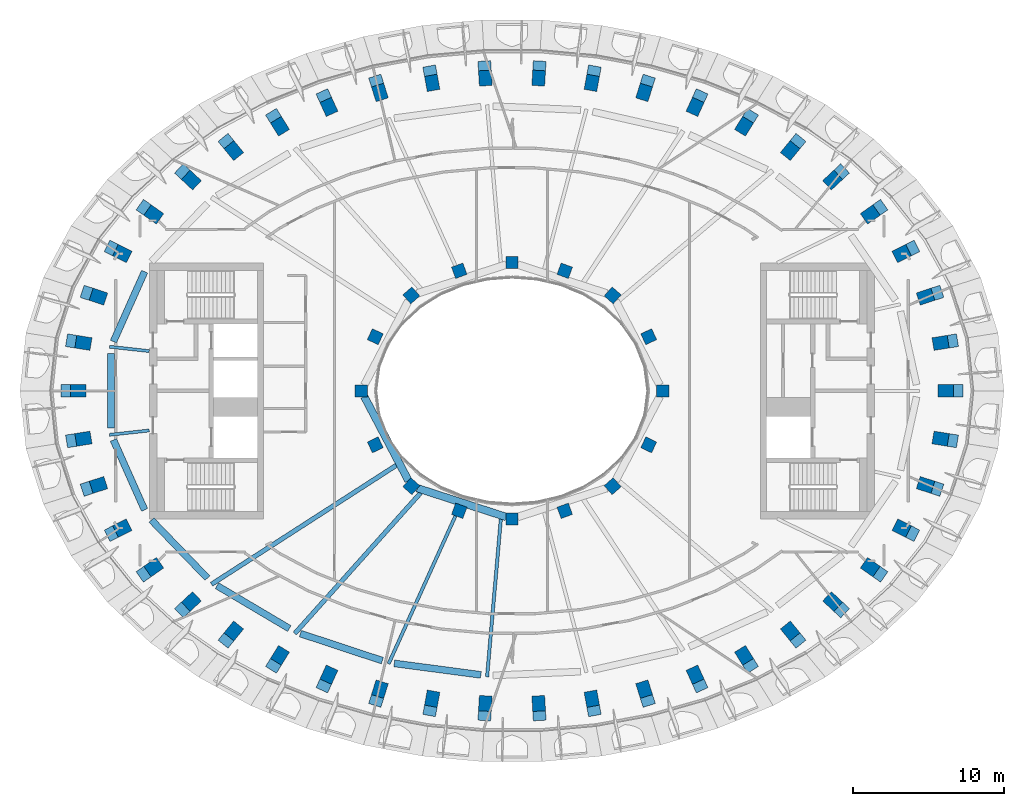
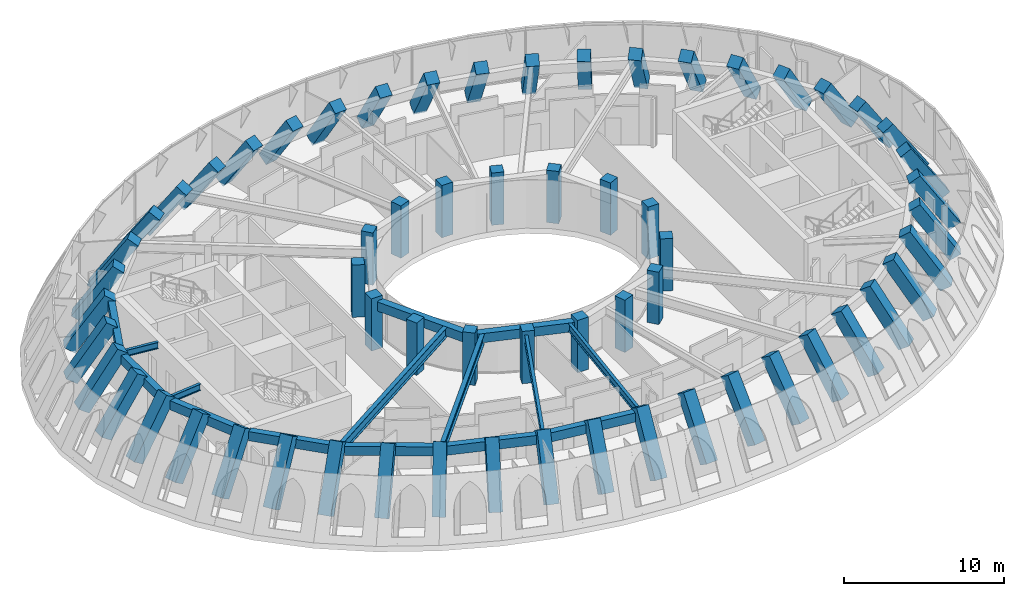
# One storey, part 1 of 13: 62 columns, 15 beams.
"""IFC4 building model written with IfcOpenShell, lengths in metres."""

from ifc_helpers import new_model, si_unit, direction, frame, origin, origin_2d, place, context, subcontext, project, spatial, rectangle, i_section, extrude, material, material_profile, profile_set, type_object, element, save


model = new_model("IFC4")

# Units and contexts
model_context = context("Model", 3, precision=1e-05, world=origin(), true_north=direction((0.0, 1.0)))
body_context = subcontext(model_context, "Body", "Model", "MODEL_VIEW")
ifc_project = project(units=[si_unit("LENGTHUNIT", "METRE"), si_unit("AREAUNIT", "SQUARE_METRE"), si_unit("VOLUMEUNIT", "CUBIC_METRE"), si_unit("PLANEANGLEUNIT", "RADIAN"), si_unit("MASSUNIT", "GRAM", prefix="KILO")], contexts=[model_context])

# Site, building, storey
site_placement = place(None, origin())
site = spatial("IfcSite", under=ifc_project, at=site_placement, CompositionType="ELEMENT")
building_placement = place(site_placement, origin())
building = spatial("IfcBuilding", under=site, at=building_placement, Name="Noorbagh Ring Tower", CompositionType="ELEMENT")
storey_placement = place(building_placement, frame((0.0, 0.0, 347.0)))
storey = spatial("IfcBuildingStorey", under=building, at=storey_placement, Name="L76", CompositionType="ELEMENT", Elevation=347.0)

# Columns
ifc_material_1 = material(Name="Concrete C50/60", Category="concrete")
ifc_material_profile_1 = material_profile(ifc_material_1, rectangle(XDim=0.85009765625, YDim=0.85009765625, at=origin_2d()), Name="RC850x850")
ifc_profile_set_1 = profile_set([ifc_material_profile_1], Name="Concrete C50/60")
column_type_1 = type_object("IfcColumnType", Name="STR-COL-RC850x850-C50-60", PredefinedType="COLUMN", material=ifc_profile_set_1)
column_1_placement = place(storey_placement, frame((29.571533203125, 0.0, 0.020751953125), z_axis=(-0.551078466919, 0.0, 0.834453427878), x_axis=(0.0, -1.0, 0.0)))
element("IfcColumn", 1, at=column_1_placement, inside=storey, type_object=column_type_1, Name="L76/col/R1-01", PredefinedType="COLUMN", context=body_context, shape_type="SweptSolid", body=[
    extrude(rectangle(XDim=0.85009765625, YDim=0.85009765625, at=origin_2d()), origin(), (0.0, 0.0, 1.0), 4.73583984375),
])
column_2_placement = place(storey_placement, frame((29.22119140625, 3.303955078125, 0.020751953125), z_axis=(-0.544037398936, -0.087235716357, 0.834513773614), x_axis=(0.158326246878, -0.987386854049, 0.0)))
element("IfcColumn", 2, at=column_2_placement, inside=storey, type_object=column_type_1, Name="L76/col/R1-02", PredefinedType="COLUMN", context=body_context, shape_type="SweptSolid", body=[
    extrude(rectangle(XDim=0.85009765625, YDim=0.85009765625, at=origin_2d()), origin(), (0.0, 0.0, 1.0), 4.7353515625),
])
column_3_placement = place(storey_placement, frame((28.196044921875, 6.4912109375, 0.020751953125), z_axis=(-0.523716020233, -0.170699160403, 0.834615676098), x_axis=(0.309892926909, -0.950771462472, 0.0)))
element("IfcColumn", 3, at=column_3_placement, inside=storey, type_object=column_type_1, Name="L76/col/R1-03", PredefinedType="COLUMN", context=body_context, shape_type="SweptSolid", body=[
    extrude(rectangle(XDim=0.85009765625, YDim=0.85009765625, at=origin_2d()), origin(), (0.0, 0.0, 1.0), 4.70703125),
])
column_4_placement = place(storey_placement, frame((26.564208984375, 9.46435546875, 0.020751953125), z_axis=(-0.491879634407, -0.247568905736, 0.834723943689), x_axis=(0.449578736033, -0.893240706701, 0.0)))
element("IfcColumn", 4, at=column_4_placement, inside=storey, type_object=column_type_1, Name="L76/col/R1-04", PredefinedType="COLUMN", context=body_context, shape_type="SweptSolid", body=[
    extrude(rectangle(XDim=0.85009765625, YDim=0.85009765625, at=origin_2d()), origin(), (0.0, 0.0, 1.0), 4.645751953125),
])
column_5_placement = place(storey_placement, frame((24.41796875, 12.154296875, 0.020751953125), z_axis=(-0.450739713419, -0.316171343674, 0.834787034031), x_axis=(0.574258734761, -0.81867387008, 0.0)))
element("IfcColumn", 5, at=column_5_placement, inside=storey, type_object=column_type_1, Name="L76/col/R1-05", PredefinedType="COLUMN", context=body_context, shape_type="SweptSolid", body=[
    extrude(rectangle(XDim=0.85009765625, YDim=0.85009765625, at=origin_2d()), origin(), (0.0, 0.0, 1.0), 4.744384765625),
])
column_6_placement = place(storey_placement, frame((21.853515625, 14.52099609375, 0.020751953125), z_axis=(-0.402285560679, -0.375879123876, 0.834794113481), x_axis=(0.682718667605, -0.730681340192, 0.0)))
element("IfcColumn", 6, at=column_6_placement, inside=storey, type_object=column_type_1, Name="L76/col/R1-06", PredefinedType="COLUMN", context=body_context, shape_type="SweptSolid", body=[
    extrude(rectangle(XDim=0.85009765625, YDim=0.85009765625, at=origin_2d()), origin(), (0.0, 0.0, 1.0), 4.733642578125),
])
column_7_placement = place(storey_placement, frame((18.9599609375, 16.54541015625, 0.020751953125), z_axis=(-0.348267486207, -0.426502607868, 0.834748634939), x_axis=(0.774570364405, -0.632487747379, 0.0)))
element("IfcColumn", 7, at=column_7_placement, inside=storey, type_object=column_type_1, Name="L76/col/R1-07", PredefinedType="COLUMN", context=body_context, shape_type="SweptSolid", body=[
    extrude(rectangle(XDim=0.85009765625, YDim=0.85009765625, at=origin_2d()), origin(), (0.0, 0.0, 1.0), 4.73388671875),
])
column_8_placement = place(storey_placement, frame((15.8134765625, 18.22314453125, 0.020751953125), z_axis=(-0.28996437072, -0.468233413861, 0.834672471007), x_axis=(0.850179331562, -0.526493213807, 0.0)))
element("IfcColumn", 8, at=column_8_placement, inside=storey, type_object=column_type_1, Name="L76/col/R1-08", PredefinedType="COLUMN", context=body_context, shape_type="SweptSolid", body=[
    extrude(rectangle(XDim=0.85009765625, YDim=0.85009765625, at=origin_2d()), origin(), (0.0, 0.0, 1.0), 4.734375),
])
column_9_placement = place(storey_placement, frame((12.47705078125, 19.5556640625, 0.020751953125), z_axis=(-0.228477444955, -0.501144727492, 0.834656827237), x_axis=(0.909897792404, -0.41483250521, 0.0)))
element("IfcColumn", 9, at=column_9_placement, inside=storey, type_object=column_type_1, Name="L76/col/R1-09", PredefinedType="COLUMN", context=body_context, shape_type="SweptSolid", body=[
    extrude(rectangle(XDim=0.85009765625, YDim=0.85009765625, at=origin_2d()), origin(), (0.0, 0.0, 1.0), 4.73486328125),
])
column_10_placement = place(storey_placement, frame((9.003662109375, 20.548583984375, 0.020751953125), z_axis=(-0.164733398932, -0.525651643853, 0.834597661506), x_axis=(0.954238174044, -0.299047667099, 0.0)))
element("IfcColumn", 10, at=column_10_placement, inside=storey, type_object=column_type_1, Name="L76/col/R1-10", PredefinedType="COLUMN", context=body_context, shape_type="SweptSolid", body=[
    extrude(rectangle(XDim=0.85009765625, YDim=0.85009765625, at=origin_2d()), origin(), (0.0, 0.0, 1.0), 4.735107421875),
])
for number, where, z_axis, x_axis, name in (
    (11, (5.437744140625, 21.207275390625, 0.020751953125), (-0.09945133912, -0.541904108599, 0.834535420597), (0.983573622278, -0.18050742245, 0.0), "L76/col/R1-11"),
    (12, (1.818359375, 21.53515625, 0.020751953125), (-0.033253613336, -0.549947741791, 0.83453680476), (0.998176877208, -0.060356621899, 0.0), "L76/col/R1-12"),
    (13, (-1.818359375, 21.53515625, 0.020751953125), (0.033253613336, -0.549947741791, 0.83453680476), (0.998176877208, 0.060356621899, 0.0), "L76/col/R1-13"),
    (14, (-5.437744140625, 21.207275390625, 0.020751953125), (0.09945133912, -0.541904108599, 0.834535420597), (0.983573622278, 0.18050742245, 0.0), "L76/col/R1-14"),
):
    element("IfcColumn", number, at=place(storey_placement, frame(where, z_axis=z_axis, x_axis=x_axis)), inside=storey, type_object=column_type_1, Name=name, PredefinedType="COLUMN", context=body_context, shape_type="SweptSolid", body=[
        extrude(rectangle(XDim=0.85009765625, YDim=0.85009765625, at=origin_2d()), origin(), (0.0, 0.0, 1.0), 4.7353515625),
    ])
column_11_placement = place(storey_placement, frame((-9.003662109375, 20.548583984375, 0.020751953125), z_axis=(0.164733398932, -0.525651643853, 0.834597661506), x_axis=(0.954238174044, 0.299047667099, 0.0)))
element("IfcColumn", 15, at=column_11_placement, inside=storey, type_object=column_type_1, Name="L76/col/R1-15", PredefinedType="COLUMN", context=body_context, shape_type="SweptSolid", body=[
    extrude(rectangle(XDim=0.85009765625, YDim=0.85009765625, at=origin_2d()), origin(), (0.0, 0.0, 1.0), 4.735107421875),
])
column_12_placement = place(storey_placement, frame((-12.47705078125, 19.5556640625, 0.020751953125), z_axis=(0.228477444955, -0.501144727492, 0.834656827237), x_axis=(0.909897792404, 0.41483250521, 0.0)))
element("IfcColumn", 16, at=column_12_placement, inside=storey, type_object=column_type_1, Name="L76/col/R1-16", PredefinedType="COLUMN", context=body_context, shape_type="SweptSolid", body=[
    extrude(rectangle(XDim=0.85009765625, YDim=0.85009765625, at=origin_2d()), origin(), (0.0, 0.0, 1.0), 4.73486328125),
])
column_13_placement = place(storey_placement, frame((-15.8134765625, 18.22314453125, 0.020751953125), z_axis=(0.28996437072, -0.468233413861, 0.834672471007), x_axis=(0.850179331562, 0.526493213807, 0.0)))
element("IfcColumn", 17, at=column_13_placement, inside=storey, type_object=column_type_1, Name="L76/col/R1-17", PredefinedType="COLUMN", context=body_context, shape_type="SweptSolid", body=[
    extrude(rectangle(XDim=0.85009765625, YDim=0.85009765625, at=origin_2d()), origin(), (0.0, 0.0, 1.0), 4.734375),
])
column_14_placement = place(storey_placement, frame((-18.9599609375, 16.54541015625, 0.020751953125), z_axis=(0.348267486207, -0.426502607868, 0.834748634939), x_axis=(0.774570364405, 0.632487747379, 0.0)))
element("IfcColumn", 18, at=column_14_placement, inside=storey, type_object=column_type_1, Name="L76/col/R1-18", PredefinedType="COLUMN", context=body_context, shape_type="SweptSolid", body=[
    extrude(rectangle(XDim=0.85009765625, YDim=0.85009765625, at=origin_2d()), origin(), (0.0, 0.0, 1.0), 4.73388671875),
])
column_15_placement = place(storey_placement, frame((-21.853515625, 14.52099609375, 0.020751953125), z_axis=(0.402285560679, -0.375879123876, 0.834794113481), x_axis=(0.682718667605, 0.730681340192, 0.0)))
element("IfcColumn", 19, at=column_15_placement, inside=storey, type_object=column_type_1, Name="L76/col/R1-19", PredefinedType="COLUMN", context=body_context, shape_type="SweptSolid", body=[
    extrude(rectangle(XDim=0.85009765625, YDim=0.85009765625, at=origin_2d()), origin(), (0.0, 0.0, 1.0), 4.733642578125),
])
column_16_placement = place(storey_placement, frame((-24.41796875, 12.154296875, 0.020751953125), z_axis=(0.450739713419, -0.316171343674, 0.834787034031), x_axis=(0.574258734761, 0.81867387008, 0.0)))
element("IfcColumn", 20, at=column_16_placement, inside=storey, type_object=column_type_1, Name="L76/col/R1-20", PredefinedType="COLUMN", context=body_context, shape_type="SweptSolid", body=[
    extrude(rectangle(XDim=0.85009765625, YDim=0.85009765625, at=origin_2d()), origin(), (0.0, 0.0, 1.0), 4.744384765625),
])
column_17_placement = place(storey_placement, frame((-26.564208984375, 9.46435546875, 0.020751953125), z_axis=(0.491879634407, -0.247568905736, 0.834723943689), x_axis=(0.449578736033, 0.893240706701, 0.0)))
element("IfcColumn", 21, at=column_17_placement, inside=storey, type_object=column_type_1, Name="L76/col/R1-21", PredefinedType="COLUMN", context=body_context, shape_type="SweptSolid", body=[
    extrude(rectangle(XDim=0.85009765625, YDim=0.85009765625, at=origin_2d()), origin(), (0.0, 0.0, 1.0), 4.645751953125),
])
column_18_placement = place(storey_placement, frame((-28.196044921875, 6.4912109375, 0.020751953125), z_axis=(0.523716020233, -0.170699160403, 0.834615676098), x_axis=(0.309892926909, 0.950771462472, 0.0)))
element("IfcColumn", 22, at=column_18_placement, inside=storey, type_object=column_type_1, Name="L76/col/R1-22", PredefinedType="COLUMN", context=body_context, shape_type="SweptSolid", body=[
    extrude(rectangle(XDim=0.85009765625, YDim=0.85009765625, at=origin_2d()), origin(), (0.0, 0.0, 1.0), 4.70703125),
])
column_19_placement = place(storey_placement, frame((-29.22119140625, 3.303955078125, 0.020751953125), z_axis=(0.544037398936, -0.087235716357, 0.834513773614), x_axis=(0.158326246878, 0.987386854049, 0.0)))
element("IfcColumn", 23, at=column_19_placement, inside=storey, type_object=column_type_1, Name="L76/col/R1-23", PredefinedType="COLUMN", context=body_context, shape_type="SweptSolid", body=[
    extrude(rectangle(XDim=0.85009765625, YDim=0.85009765625, at=origin_2d()), origin(), (0.0, 0.0, 1.0), 4.7353515625),
])
column_20_placement = place(storey_placement, frame((-29.571533203125, 0.0, 0.020751953125), z_axis=(0.551078466919, 0.0, 0.834453427878), x_axis=(0.0, 1.0, 0.0)))
element("IfcColumn", 24, at=column_20_placement, inside=storey, type_object=column_type_1, Name="L76/col/R1-24", PredefinedType="COLUMN", context=body_context, shape_type="SweptSolid", body=[
    extrude(rectangle(XDim=0.85009765625, YDim=0.85009765625, at=origin_2d()), origin(), (0.0, 0.0, 1.0), 4.73583984375),
])
column_21_placement = place(storey_placement, frame((-29.22119140625, -3.303955078125, 0.020751953125), z_axis=(0.544037398936, 0.087235716357, 0.834513773614), x_axis=(-0.158326246878, 0.987386854049, 0.0)))
element("IfcColumn", 25, at=column_21_placement, inside=storey, type_object=column_type_1, Name="L76/col/R1-25", PredefinedType="COLUMN", context=body_context, shape_type="SweptSolid", body=[
    extrude(rectangle(XDim=0.85009765625, YDim=0.85009765625, at=origin_2d()), origin(), (0.0, 0.0, 1.0), 4.7353515625),
])
column_22_placement = place(storey_placement, frame((-28.196044921875, -6.4912109375, 0.020751953125), z_axis=(0.523716020233, 0.170699160403, 0.834615676098), x_axis=(-0.309892926909, 0.950771462472, 0.0)))
element("IfcColumn", 26, at=column_22_placement, inside=storey, type_object=column_type_1, Name="L76/col/R1-26", PredefinedType="COLUMN", context=body_context, shape_type="SweptSolid", body=[
    extrude(rectangle(XDim=0.85009765625, YDim=0.85009765625, at=origin_2d()), origin(), (0.0, 0.0, 1.0), 4.70703125),
])
column_23_placement = place(storey_placement, frame((-26.564208984375, -9.46435546875, 0.020751953125), z_axis=(0.491879634407, 0.247568905736, 0.834723943689), x_axis=(-0.449578736033, 0.893240706701, 0.0)))
element("IfcColumn", 27, at=column_23_placement, inside=storey, type_object=column_type_1, Name="L76/col/R1-27", PredefinedType="COLUMN", context=body_context, shape_type="SweptSolid", body=[
    extrude(rectangle(XDim=0.85009765625, YDim=0.85009765625, at=origin_2d()), origin(), (0.0, 0.0, 1.0), 4.645751953125),
])
column_24_placement = place(storey_placement, frame((-24.41796875, -12.154296875, 0.020751953125), z_axis=(0.450739713419, 0.316171343674, 0.834787034031), x_axis=(-0.574258734761, 0.81867387008, 0.0)))
element("IfcColumn", 28, at=column_24_placement, inside=storey, type_object=column_type_1, Name="L76/col/R1-28", PredefinedType="COLUMN", context=body_context, shape_type="SweptSolid", body=[
    extrude(rectangle(XDim=0.85009765625, YDim=0.85009765625, at=origin_2d()), origin(), (0.0, 0.0, 1.0), 4.744384765625),
])
column_25_placement = place(storey_placement, frame((-21.853515625, -14.52099609375, 0.020751953125), z_axis=(0.402285560679, 0.375879123876, 0.834794113481), x_axis=(-0.682718667605, 0.730681340192, 0.0)))
element("IfcColumn", 29, at=column_25_placement, inside=storey, type_object=column_type_1, Name="L76/col/R1-29", PredefinedType="COLUMN", context=body_context, shape_type="SweptSolid", body=[
    extrude(rectangle(XDim=0.85009765625, YDim=0.85009765625, at=origin_2d()), origin(), (0.0, 0.0, 1.0), 4.733642578125),
])
column_26_placement = place(storey_placement, frame((-18.9599609375, -16.54541015625, 0.020751953125), z_axis=(0.348267486207, 0.426502607868, 0.834748634939), x_axis=(-0.774570364405, 0.632487747379, 0.0)))
element("IfcColumn", 30, at=column_26_placement, inside=storey, type_object=column_type_1, Name="L76/col/R1-30", PredefinedType="COLUMN", context=body_context, shape_type="SweptSolid", body=[
    extrude(rectangle(XDim=0.85009765625, YDim=0.85009765625, at=origin_2d()), origin(), (0.0, 0.0, 1.0), 4.73388671875),
])
column_27_placement = place(storey_placement, frame((-15.8134765625, -18.22314453125, 0.020751953125), z_axis=(0.28996437072, 0.468233413861, 0.834672471007), x_axis=(-0.850179331562, 0.526493213807, 0.0)))
element("IfcColumn", 31, at=column_27_placement, inside=storey, type_object=column_type_1, Name="L76/col/R1-31", PredefinedType="COLUMN", context=body_context, shape_type="SweptSolid", body=[
    extrude(rectangle(XDim=0.85009765625, YDim=0.85009765625, at=origin_2d()), origin(), (0.0, 0.0, 1.0), 4.734375),
])
column_28_placement = place(storey_placement, frame((-12.47705078125, -19.5556640625, 0.020751953125), z_axis=(0.228477444955, 0.501144727492, 0.834656827237), x_axis=(-0.909897792404, 0.41483250521, 0.0)))
element("IfcColumn", 32, at=column_28_placement, inside=storey, type_object=column_type_1, Name="L76/col/R1-32", PredefinedType="COLUMN", context=body_context, shape_type="SweptSolid", body=[
    extrude(rectangle(XDim=0.85009765625, YDim=0.85009765625, at=origin_2d()), origin(), (0.0, 0.0, 1.0), 4.73486328125),
])
column_29_placement = place(storey_placement, frame((-9.003662109375, -20.548583984375, 0.020751953125), z_axis=(0.164733398932, 0.525651643853, 0.834597661506), x_axis=(-0.954238174044, 0.299047667099, 0.0)))
element("IfcColumn", 33, at=column_29_placement, inside=storey, type_object=column_type_1, Name="L76/col/R1-33", PredefinedType="COLUMN", context=body_context, shape_type="SweptSolid", body=[
    extrude(rectangle(XDim=0.85009765625, YDim=0.85009765625, at=origin_2d()), origin(), (0.0, 0.0, 1.0), 4.735107421875),
])
for number, where, z_axis, x_axis, name in (
    (34, (-5.437744140625, -21.207275390625, 0.020751953125), (0.09945133912, 0.541904108599, 0.834535420597), (-0.983573622278, 0.18050742245, 0.0), "L76/col/R1-34"),
    (35, (-1.818359375, -21.53515625, 0.020751953125), (0.033253613336, 0.549947741791, 0.83453680476), (-0.998176877208, 0.060356621899, 0.0), "L76/col/R1-35"),
    (36, (1.818359375, -21.53515625, 0.020751953125), (-0.033253613336, 0.549947741791, 0.83453680476), (-0.998176877208, -0.060356621899, 0.0), "L76/col/R1-36"),
    (37, (5.437744140625, -21.207275390625, 0.020751953125), (-0.09945133912, 0.541904108599, 0.834535420597), (-0.983573622278, -0.18050742245, 0.0), "L76/col/R1-37"),
):
    element("IfcColumn", number, at=place(storey_placement, frame(where, z_axis=z_axis, x_axis=x_axis)), inside=storey, type_object=column_type_1, Name=name, PredefinedType="COLUMN", context=body_context, shape_type="SweptSolid", body=[
        extrude(rectangle(XDim=0.85009765625, YDim=0.85009765625, at=origin_2d()), origin(), (0.0, 0.0, 1.0), 4.7353515625),
    ])
column_30_placement = place(storey_placement, frame((9.003662109375, -20.548583984375, 0.020751953125), z_axis=(-0.164733398932, 0.525651643853, 0.834597661506), x_axis=(-0.954238174044, -0.299047667099, 0.0)))
element("IfcColumn", 38, at=column_30_placement, inside=storey, type_object=column_type_1, Name="L76/col/R1-38", PredefinedType="COLUMN", context=body_context, shape_type="SweptSolid", body=[
    extrude(rectangle(XDim=0.85009765625, YDim=0.85009765625, at=origin_2d()), origin(), (0.0, 0.0, 1.0), 4.735107421875),
])
column_31_placement = place(storey_placement, frame((12.47705078125, -19.5556640625, 0.020751953125), z_axis=(-0.228477444955, 0.501144727492, 0.834656827237), x_axis=(-0.909897792404, -0.41483250521, 0.0)))
element("IfcColumn", 39, at=column_31_placement, inside=storey, type_object=column_type_1, Name="L76/col/R1-39", PredefinedType="COLUMN", context=body_context, shape_type="SweptSolid", body=[
    extrude(rectangle(XDim=0.85009765625, YDim=0.85009765625, at=origin_2d()), origin(), (0.0, 0.0, 1.0), 4.73486328125),
])
column_32_placement = place(storey_placement, frame((15.8134765625, -18.22314453125, 0.020751953125), z_axis=(-0.28996437072, 0.468233413861, 0.834672471007), x_axis=(-0.850179331562, -0.526493213807, 0.0)))
element("IfcColumn", 40, at=column_32_placement, inside=storey, type_object=column_type_1, Name="L76/col/R1-40", PredefinedType="COLUMN", context=body_context, shape_type="SweptSolid", body=[
    extrude(rectangle(XDim=0.85009765625, YDim=0.85009765625, at=origin_2d()), origin(), (0.0, 0.0, 1.0), 4.734375),
])
column_33_placement = place(storey_placement, frame((18.9599609375, -16.54541015625, 0.020751953125), z_axis=(-0.348267486207, 0.426502607868, 0.834748634939), x_axis=(-0.774570364405, -0.632487747379, 0.0)))
element("IfcColumn", 41, at=column_33_placement, inside=storey, type_object=column_type_1, Name="L76/col/R1-41", PredefinedType="COLUMN", context=body_context, shape_type="SweptSolid", body=[
    extrude(rectangle(XDim=0.85009765625, YDim=0.85009765625, at=origin_2d()), origin(), (0.0, 0.0, 1.0), 4.73388671875),
])
column_34_placement = place(storey_placement, frame((21.853515625, -14.52099609375, 0.020751953125), z_axis=(-0.402285560679, 0.375879123876, 0.834794113481), x_axis=(-0.682718667605, -0.730681340192, 0.0)))
element("IfcColumn", 42, at=column_34_placement, inside=storey, type_object=column_type_1, Name="L76/col/R1-42", PredefinedType="COLUMN", context=body_context, shape_type="SweptSolid", body=[
    extrude(rectangle(XDim=0.85009765625, YDim=0.85009765625, at=origin_2d()), origin(), (0.0, 0.0, 1.0), 4.733642578125),
])
column_35_placement = place(storey_placement, frame((24.41796875, -12.154296875, 0.020751953125), z_axis=(-0.450739713419, 0.316171343674, 0.834787034031), x_axis=(-0.574258734761, -0.81867387008, 0.0)))
element("IfcColumn", 43, at=column_35_placement, inside=storey, type_object=column_type_1, Name="L76/col/R1-43", PredefinedType="COLUMN", context=body_context, shape_type="SweptSolid", body=[
    extrude(rectangle(XDim=0.85009765625, YDim=0.85009765625, at=origin_2d()), origin(), (0.0, 0.0, 1.0), 4.744384765625),
])
column_36_placement = place(storey_placement, frame((26.564208984375, -9.46435546875, 0.020751953125), z_axis=(-0.491879634407, 0.247568905736, 0.834723943689), x_axis=(-0.449578736033, -0.893240706701, 0.0)))
element("IfcColumn", 44, at=column_36_placement, inside=storey, type_object=column_type_1, Name="L76/col/R1-44", PredefinedType="COLUMN", context=body_context, shape_type="SweptSolid", body=[
    extrude(rectangle(XDim=0.85009765625, YDim=0.85009765625, at=origin_2d()), origin(), (0.0, 0.0, 1.0), 4.645751953125),
])
column_37_placement = place(storey_placement, frame((28.196044921875, -6.4912109375, 0.020751953125), z_axis=(-0.523716020233, 0.170699160403, 0.834615676098), x_axis=(-0.309892926909, -0.950771462472, 0.0)))
element("IfcColumn", 45, at=column_37_placement, inside=storey, type_object=column_type_1, Name="L76/col/R1-45", PredefinedType="COLUMN", context=body_context, shape_type="SweptSolid", body=[
    extrude(rectangle(XDim=0.85009765625, YDim=0.85009765625, at=origin_2d()), origin(), (0.0, 0.0, 1.0), 4.70703125),
])
column_38_placement = place(storey_placement, frame((29.22119140625, -3.303955078125, 0.020751953125), z_axis=(-0.544037398936, 0.087235716357, 0.834513773614), x_axis=(-0.158326246878, -0.987386854049, 0.0)))
element("IfcColumn", 46, at=column_38_placement, inside=storey, type_object=column_type_1, Name="L76/col/R1-46", PredefinedType="COLUMN", context=body_context, shape_type="SweptSolid", body=[
    extrude(rectangle(XDim=0.85009765625, YDim=0.85009765625, at=origin_2d()), origin(), (0.0, 0.0, 1.0), 4.7353515625),
])
ifc_material_2 = material(Name="Concrete C50/60", Category="concrete")
ifc_material_profile_2 = material_profile(ifc_material_2, rectangle(XDim=0.800048828125, YDim=0.800048828125, at=origin_2d()), Name="RC800x800")
ifc_profile_set_2 = profile_set([ifc_material_profile_2], Name="Concrete C50/60")
column_type_2 = type_object("IfcColumnType", Name="STR-ICOL-RC800x800-C50-60", PredefinedType="COLUMN", material=ifc_profile_set_2)
for number, where, z_axis, x_axis, name in (
    (47, (10.00830078125, 0.0, 0.0), (0.0, 0.0, 1.0), (0.0, 1.0, 0.0), "L76/col/IR2-W01"),
    (48, (9.07568359375, 3.58837890625, 0.0), (0.0, 0.0, 1.0), (-0.428666979171, 0.903462573087, 0.0), "L76/col/IR2-W03"),
    (49, (6.68212890625, 6.333740234375, 0.0), (0.0, 0.0, 1.0), (-0.75102249095, 0.660276622399, 0.0), "L76/col/IR2-W05"),
    (50, (3.5009765625, 7.967041015625, 0.0), (0.0, 0.0, 1.0), (-0.939019578916, 0.343863679984, 0.0), "L76/col/IR2-W07"),
    (51, (0.0, 8.5029296875, 0.0), (0.0, 0.0, 1.0), (-1.0, 0.0, 0.0), "L76/col/IR2-W09"),
    (52, (-3.5009765625, 7.967041015625, 0.0), (0.0, 0.0, 1.0), (-0.939019578916, -0.343863679984, 0.0), "L76/col/IR2-W11"),
    (53, (-6.68212890625, 6.333740234375, 0.0), (0.0, 0.0, 1.0), (-0.75102249095, -0.660276622399, 0.0), "L76/col/IR2-W13"),
    (54, (-9.07568359375, 3.58837890625, 0.0), (0.0, 0.0, 1.0), (-0.428666979171, -0.903462573087, 0.0), "L76/col/IR2-W15"),
    (55, (-10.00830078125, 0.0, 0.0), (0.0, 0.0, 1.0), (0.0, -1.0, 0.0), "L76/col/IR2-W17"),
    (56, (-9.07568359375, -3.58837890625, 0.0), (0.0, 0.0, 1.0), (0.428666979171, -0.903462573087, 0.0), "L76/col/IR2-W19"),
    (57, (-6.68212890625, -6.333740234375, 0.0), (0.0, 0.0, 1.0), (0.75102249095, -0.660276622399, 0.0), "L76/col/IR2-W21"),
    (58, (-3.5009765625, -7.967041015625, 0.0), (0.0, 0.0, 1.0), (0.939019578916, -0.343863679984, 0.0), "L76/col/IR2-W23"),
    (59, (0.0, -8.5029296875, 0.0), (0.0, 0.0, 1.0), (1.0, 0.0, 0.0), "L76/col/IR2-W25"),
    (60, (3.5009765625, -7.967041015625, 0.0), (0.0, 0.0, 1.0), (0.939019578916, 0.343863679984, 0.0), "L76/col/IR2-W27"),
    (61, (6.68212890625, -6.333740234375, 0.0), (0.0, 0.0, 1.0), (0.75102249095, 0.660276622399, 0.0), "L76/col/IR2-W29"),
    (62, (9.07568359375, -3.58837890625, 0.0), (0.0, 0.0, 1.0), (0.428666979171, 0.903462573087, 0.0), "L76/col/IR2-W31"),
):
    element("IfcColumn", number, at=place(storey_placement, frame(where, z_axis=z_axis, x_axis=x_axis)), inside=storey, type_object=column_type_2, Name=name, PredefinedType="COLUMN", context=body_context, shape_type="SweptSolid", body=[
        extrude(rectangle(XDim=0.800048828125, YDim=0.800048828125, at=origin_2d()), origin(), (0.0, 0.0, 1.0), 4.0),
    ])

# Beams
ifc_material_3 = material(Name="Steel S355", Category="steel")
ifc_material_profile_3 = material_profile(ifc_material_3, i_section(OverallWidth=0.199951171875, OverallDepth=0.5, WebThickness=0.01025390625, FlangeThickness=0.01611328125, FilletRadius=0.02099609375, at=origin_2d()), Name="IPE500")
ifc_profile_set_3 = profile_set([ifc_material_profile_3], Name="Steel S355")
beam_type_1 = type_object("IfcBeamType", Name="STR-RAD-IPE500", PredefinedType="BEAM", material=ifc_profile_set_3)
for number, where, z_axis, x_axis, name in (
    (63, (-26.727294921875, 2.924560546875, 3.449951171875), (0.99407122727, -0.108730837918, 0.0), (0.108730837918, 0.99407122727, 0.0), "L76/bm/RD23"),
    (64, (-26.727294921875, -2.924560546875, 3.449951171875), (0.99407122727, 0.108730837918, 0.0), (-0.108730837918, 0.99407122727, 0.0), "L76/bm/RD25"),
):
    element("IfcBeam", number, at=place(storey_placement, frame(where, z_axis=z_axis, x_axis=x_axis)), inside=storey, type_object=beam_type_1, Name=name, PredefinedType="BEAM", context=body_context, shape_type="SweptSolid", body=[
        extrude(i_section(OverallWidth=0.199951171875, OverallDepth=0.5, WebThickness=0.01025390625, FlangeThickness=0.01611328125, FilletRadius=0.02099609375, at=origin_2d()), origin(), (0.0, 0.0, 1.0), 2.6630859375),
    ])
ifc_material_4 = material(Name="Steel S355", Category="steel")
ifc_material_profile_4 = material_profile(ifc_material_4, i_section(OverallWidth=0.219970703125, OverallDepth=0.60009765625, WebThickness=0.011962890625, FlangeThickness=0.01904296875, FilletRadius=0.02392578125, at=origin_2d()), Name="IPE600")
ifc_profile_set_4 = profile_set([ifc_material_profile_4], Name="Steel S355")
beam_type_2 = type_object("IfcBeamType", Name="STR-RAD-IPE600", PredefinedType="BEAM", material=ifc_profile_set_4)
beam_1_placement = place(storey_placement, frame((-8.19091796875, -18.121826171875, 3.39990234375), z_axis=(0.411880880362, 0.911237696977, 0.0), x_axis=(-0.911237696977, 0.411880880362, 0.0)))
element("IfcBeam", 65, at=beam_1_placement, inside=storey, type_object=beam_type_2, Name="L76/bm/RD33", PredefinedType="BEAM", context=body_context, shape_type="SweptSolid", body=[
    extrude(i_section(OverallWidth=0.219970703125, OverallDepth=0.60009765625, WebThickness=0.011962890625, FlangeThickness=0.01904296875, FilletRadius=0.02392578125, at=origin_2d()), origin(), (0.0, 0.0, 1.0), 11.518310546875),
])
beam_2_placement = place(storey_placement, frame((-1.653564453125, -18.98681640625, 3.39990234375), z_axis=(0.086758781668, 0.996229347993, 0.0), x_axis=(-0.996229347993, 0.086758781668, 0.0)))
element("IfcBeam", 66, at=beam_2_placement, inside=storey, type_object=beam_type_2, Name="L76/bm/RD35", PredefinedType="BEAM", context=body_context, shape_type="SweptSolid", body=[
    extrude(i_section(OverallWidth=0.219970703125, OverallDepth=0.60009765625, WebThickness=0.011962890625, FlangeThickness=0.01904296875, FilletRadius=0.02392578125, at=origin_2d()), origin(), (0.0, 0.0, 1.0), 10.521728515625),
])
ifc_material_5 = material(Name="Steel S355", Category="steel")
ifc_material_profile_5 = material_profile(ifc_material_5, i_section(OverallWidth=0.300048828125, OverallDepth=0.75, WebThickness=0.013916015625, FlangeThickness=0.02587890625, at=origin_2d()), Name="PG750x300x14x26")
ifc_profile_set_5 = profile_set([ifc_material_profile_5], Name="Steel S355")
beam_type_3 = type_object("IfcBeamType", Name="STR-RAD-PG750x300x14x26", PredefinedType="BEAM", material=ifc_profile_set_5)
beam_3_placement = place(storey_placement, frame((-19.947509765625, -12.84521484375, 3.324951171875), z_axis=(0.840757122582, 0.541412468296, 0.0), x_axis=(-0.541412468296, 0.840757122582, 0.0)))
element("IfcBeam", 67, at=beam_3_placement, inside=storey, type_object=beam_type_3, Name="L76/bm/RD29", PredefinedType="BEAM", context=body_context, shape_type="SweptSolid", body=[
    extrude(i_section(OverallWidth=0.300048828125, OverallDepth=0.75, WebThickness=0.013916015625, FlangeThickness=0.02587890625, at=origin_2d()), origin(), (0.0, 0.0, 1.0), 14.598876953125),
])
beam_4_placement = place(storey_placement, frame((-14.416259765625, -16.108154296875, 3.324951171875), z_axis=(0.666891741303, 0.74515461844, 0.0), x_axis=(-0.74515461844, 0.666891741303, 0.0)))
element("IfcBeam", 68, at=beam_4_placement, inside=storey, type_object=beam_type_3, Name="L76/bm/RD31", PredefinedType="BEAM", context=body_context, shape_type="SweptSolid", body=[
    extrude(i_section(OverallWidth=0.300048828125, OverallDepth=0.75, WebThickness=0.013916015625, FlangeThickness=0.02587890625, at=origin_2d()), origin(), (0.0, 0.0, 1.0), 12.521728515625),
])
ifc_material_6 = material(Name="Concrete C40/50", Category="concrete")
ifc_material_profile_6 = material_profile(ifc_material_6, rectangle(XDim=0.5, YDim=0.699951171875, at=origin_2d()), Name="RC500x700")
ifc_profile_set_6 = profile_set([ifc_material_profile_6], Name="Concrete C40/50")
beam_type_4 = type_object("IfcBeamType", Name="STR-RB-RC500x700-C40-50", PredefinedType="BEAM", material=ifc_profile_set_6)
beam_5_placement = place(storey_placement, frame((-9.8076171875, -0.38232421875, 3.35009765625), z_axis=(0.464943021964, -0.885340604698, 0.0), x_axis=(0.885340604698, 0.464943021964, 0.0)))
element("IfcBeam", 69, at=beam_5_placement, inside=storey, type_object=beam_type_4, Name="L76/bm/RG09", PredefinedType="BEAM", context=body_context, shape_type="SweptSolid", body=[
    extrude(rectangle(XDim=0.5, YDim=0.699951171875, at=origin_2d()), origin(), (0.0, 0.0, 1.0), 6.313720703125),
])
beam_6_placement = place(storey_placement, frame((-6.286865234375, -6.462158203125, 3.35009765625), z_axis=(0.951150444931, -0.308727762126, 0.0), x_axis=(0.308727762126, 0.951150444931, 0.0)))
element("IfcBeam", 70, at=beam_6_placement, inside=storey, type_object=beam_type_4, Name="L76/bm/RG11", PredefinedType="BEAM", context=body_context, shape_type="SweptSolid", body=[
    extrude(rectangle(XDim=0.5, YDim=0.699951171875, at=origin_2d()), origin(), (0.0, 0.0, 1.0), 6.209228515625),
])
ifc_material_7 = material(Name="Concrete C40/50", Category="concrete")
ifc_material_profile_7 = material_profile(ifc_material_7, rectangle(XDim=0.449951171875, YDim=0.699951171875, at=origin_2d()), Name="RC450x700")
ifc_profile_set_7 = profile_set([ifc_material_profile_7], Name="Concrete C40/50")
beam_type_5 = type_object("IfcBeamType", Name="STR-SB-RC450x700-C40-50", PredefinedType="BEAM", material=ifc_profile_set_7)
beam_7_placement = place(storey_placement, frame((-24.387451171875, 7.907470703125, 3.35009765625), z_axis=(-0.407470600373, -0.913218325392, 0.0), x_axis=(0.913218325392, -0.407470600373, 0.0)))
element("IfcBeam", 71, at=beam_7_placement, inside=storey, type_object=beam_type_5, Name="L76/bm/SP21", PredefinedType="BEAM", context=body_context, shape_type="SweptSolid", body=[
    extrude(rectangle(XDim=0.449951171875, YDim=0.699951171875, at=origin_2d()), origin(), (0.0, 0.0, 1.0), 5.082763671875),
])
beam_8_placement = place(storey_placement, frame((-26.627197265625, 2.47265625, 3.35009765625), z_axis=(0.0, -1.0, 0.0), x_axis=(1.0, 0.0, 0.0)))
element("IfcBeam", 72, at=beam_8_placement, inside=storey, type_object=beam_type_5, Name="L76/bm/SP23", PredefinedType="BEAM", context=body_context, shape_type="SweptSolid", body=[
    extrude(rectangle(XDim=0.449951171875, YDim=0.699951171875, at=origin_2d()), origin(), (0.0, 0.0, 1.0), 4.9453125),
])
beam_9_placement = place(storey_placement, frame((-26.45849609375, -3.265869140625, 3.35009765625), z_axis=(0.407470600373, -0.913218325392, 0.0), x_axis=(0.913218325392, 0.407470600373, 0.0)))
element("IfcBeam", 73, at=beam_9_placement, inside=storey, type_object=beam_type_5, Name="L76/bm/SP25", PredefinedType="BEAM", context=body_context, shape_type="SweptSolid", body=[
    extrude(rectangle(XDim=0.449951171875, YDim=0.699951171875, at=origin_2d()), origin(), (0.0, 0.0, 1.0), 5.082763671875),
])
beam_10_placement = place(storey_placement, frame((-23.934326171875, -8.579833984375, 3.35009765625), z_axis=(0.69389582091, -0.720075405582, 0.0), x_axis=(0.720075405582, 0.69389582091, 0.0)))
element("IfcBeam", 74, at=beam_10_placement, inside=storey, type_object=beam_type_5, Name="L76/bm/SP27", PredefinedType="BEAM", context=body_context, shape_type="SweptSolid", body=[
    extrude(rectangle(XDim=0.449951171875, YDim=0.699951171875, at=origin_2d()), origin(), (0.0, 0.0, 1.0), 5.352783203125),
])
beam_11_placement = place(storey_placement, frame((-19.58447265625, -12.9375, 3.35009765625), z_axis=(0.860319947792, -0.509754438363, 0.0), x_axis=(0.509754438363, 0.860319947792, 0.0)))
element("IfcBeam", 75, at=beam_11_placement, inside=storey, type_object=beam_type_5, Name="L76/bm/SP29", PredefinedType="BEAM", context=body_context, shape_type="SweptSolid", body=[
    extrude(rectangle(XDim=0.449951171875, YDim=0.699951171875, at=origin_2d()), origin(), (0.0, 0.0, 1.0), 5.58251953125),
])
beam_12_placement = place(storey_placement, frame((-14.04443359375, -16.11865234375, 3.35009765625), z_axis=(0.949578668733, -0.313528869306, 0.0), x_axis=(0.313528869306, 0.949578668733, 0.0)))
element("IfcBeam", 76, at=beam_12_placement, inside=storey, type_object=beam_type_5, Name="L76/bm/SP31", PredefinedType="BEAM", context=body_context, shape_type="SweptSolid", body=[
    extrude(rectangle(XDim=0.449951171875, YDim=0.699951171875, at=origin_2d()), origin(), (0.0, 0.0, 1.0), 5.728759765625),
])
beam_13_placement = place(storey_placement, frame((-7.81494140625, -18.095703125, 3.35009765625), z_axis=(0.991301241928, -0.131612490864, 0.0), x_axis=(0.131612490864, 0.991301241928, 0.0)))
element("IfcBeam", 77, at=beam_13_placement, inside=storey, type_object=beam_type_5, Name="L76/bm/SP33", PredefinedType="BEAM", context=body_context, shape_type="SweptSolid", body=[
    extrude(rectangle(XDim=0.449951171875, YDim=0.699951171875, at=origin_2d()), origin(), (0.0, 0.0, 1.0), 5.802490234375),
])

save(model, "model.ifc")
